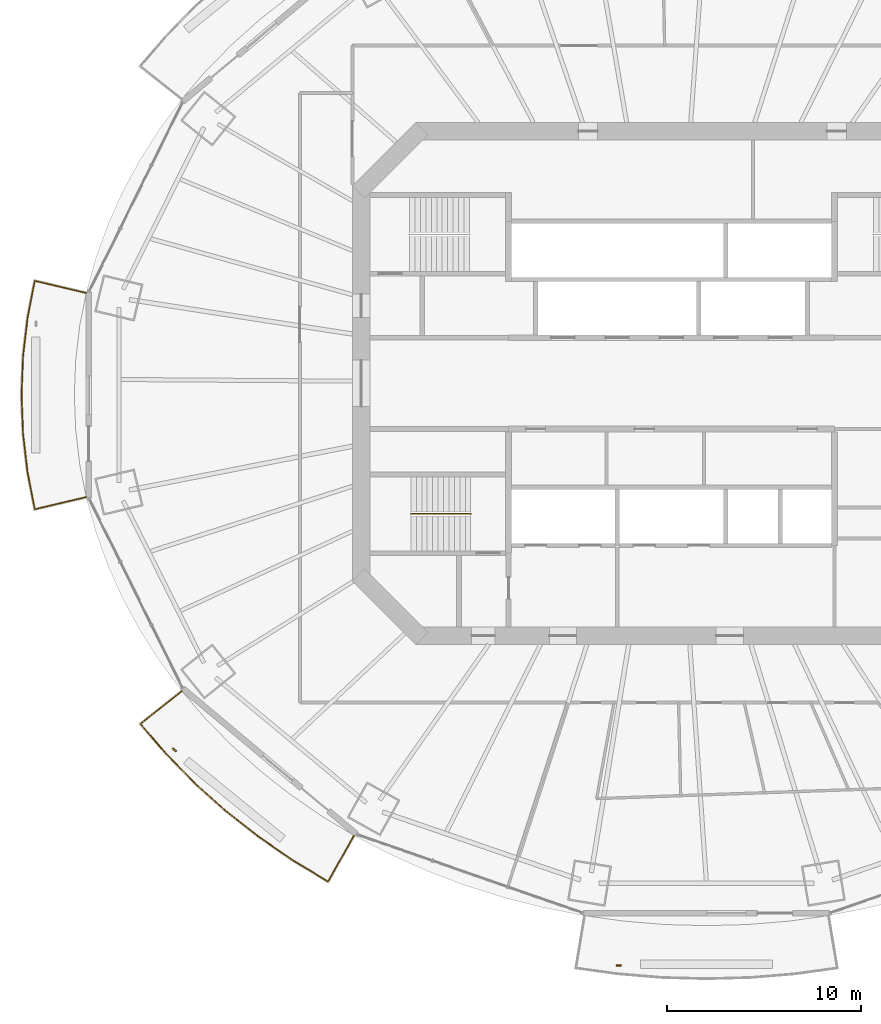
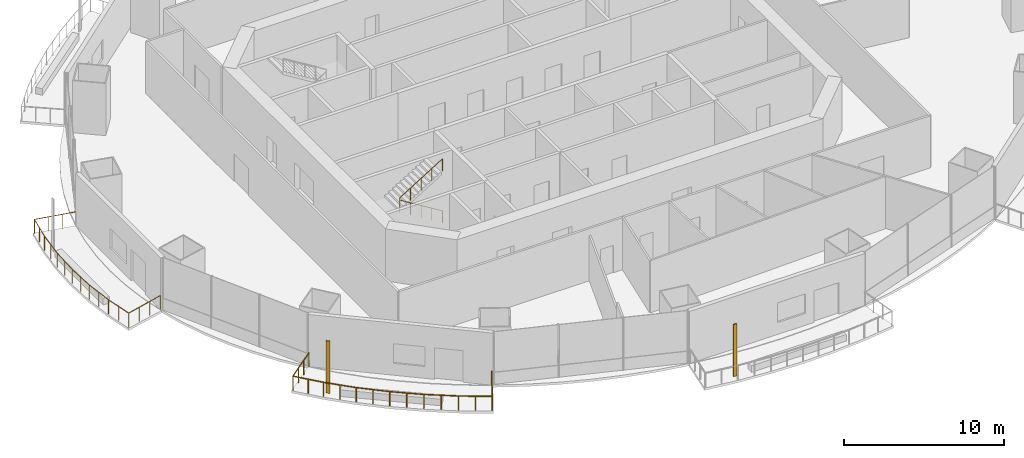
# One storey, part 15 of 20: 3 railings, 2 shading devices.
"""IFC4 building model written with IfcOpenShell, lengths in metres."""

from ifc_helpers import new_model, si_unit, direction, frame, origin, origin_2d, place, context, subcontext, project, spatial, rectangle, circle, extrude, material, material_profile, profile_set, type_object, element, save


model = new_model("IFC4")

# Units and contexts
model_context = context("Model", 3, precision=1e-05, world=origin(), true_north=direction((0.0, 1.0)))
body_context = subcontext(model_context, "Body", "Model", "MODEL_VIEW")
ifc_project = project(units=[si_unit("LENGTHUNIT", "METRE"), si_unit("AREAUNIT", "SQUARE_METRE"), si_unit("VOLUMEUNIT", "CUBIC_METRE"), si_unit("PLANEANGLEUNIT", "RADIAN"), si_unit("MASSUNIT", "GRAM", prefix="KILO")], contexts=[model_context])

# Site, building, storey
site_placement = place(None, origin())
site = spatial("IfcSite", under=ifc_project, at=site_placement, CompositionType="ELEMENT")
building_placement = place(site_placement, origin())
building = spatial("IfcBuilding", under=site, at=building_placement, Name="Marenthal Gate Tower", CompositionType="ELEMENT")
storey_placement = place(building_placement, frame((0.0, 0.0, 177.64990234375)))
storey = spatial("IfcBuildingStorey", under=building, at=storey_placement, Name="L38", CompositionType="ELEMENT", Elevation=177.64990234375)

# Railings
ifc_material_1 = material(Name="Stainless steel", Category="steel")
railing_type_1 = type_object("IfcRailingType", Name="Balcony guard 1100", PredefinedType="GUARDRAIL", material=ifc_material_1)
railing_1_placement = place(storey_placement, frame((-30.16943359375, -5.85693359375, 0.0)))
element("IfcRailing", 1, at=railing_1_placement, inside=storey, type_object=railing_type_1, Name="Balcony guard L38 bay 8", PredefinedType="GUARDRAIL", context=body_context, shape_type="SweptSolid", body=[
    extrude(circle(Radius=0.02392578125, at=origin_2d()), frame((0.0, 0.0, 1.076171875), z_axis=(-0.972993116946, -0.230370165209, -0.014628101647), x_axis=(0.230394816626, -0.97309723485, 0.0)), (0.0, 0.0, 1.0), 2.720458984375),
    extrude(circle(Radius=0.02392578125, at=origin_2d()), frame((-2.64697265625, -0.626708984375, 1.0361328125), z_axis=(-0.191367617188, 0.981518433394, 0.0), x_axis=(-0.981518433394, -0.191367617188, 0.0)), (0.0, 0.0, 1.0), 1.928955078125),
    extrude(circle(Radius=0.02392578125, at=origin_2d()), frame((-3.01611328125, 1.2666015625, 1.0361328125), z_axis=(-0.116473657371, 0.993193781263, 0.0), x_axis=(-0.993193781263, -0.116473657371, 0.0)), (0.0, 0.0, 1.0), 2.00390625),
    extrude(circle(Radius=0.02392578125, at=origin_2d()), frame((-3.24951171875, 3.2568359375, 1.0361328125), z_axis=(-0.03903273174, 0.999237932553, 0.0), x_axis=(-0.999237932553, -0.03903273174, 0.0)), (0.0, 0.0, 1.0), 2.00146484375),
    extrude(circle(Radius=0.02392578125, at=origin_2d()), frame((-3.32763671875, 5.2568359375, 1.0361328125), z_axis=(0.039027974841, 0.999238118358, 0.0), x_axis=(-0.999238118358, 0.039027974841, 0.0)), (0.0, 0.0, 1.0), 2.001708984375),
    extrude(circle(Radius=0.02392578125, at=origin_2d()), frame((-3.24951171875, 7.257080078125, 1.0361328125), z_axis=(0.116473657371, 0.993193781263, 0.0), x_axis=(-0.993193781263, 0.116473657371, 0.0)), (0.0, 0.0, 1.0), 2.00390625),
    extrude(circle(Radius=0.02392578125, at=origin_2d()), frame((-3.01611328125, 9.247314453125, 1.0361328125), z_axis=(0.191367617188, 0.981518433394, 0.0), x_axis=(-0.981518433394, 0.191367617188, 0.0)), (0.0, 0.0, 1.0), 1.928955078125),
    extrude(circle(Radius=0.02392578125, at=origin_2d()), frame((-2.64697265625, 11.140625, 1.0361328125), z_axis=(0.972993116946, -0.230370165209, 0.014628101647), x_axis=(0.230394816626, 0.97309723485, 0.0)), (0.0, 0.0, 1.0), 2.720458984375),
    extrude(circle(Radius=0.02099609375, at=origin_2d()), origin(), (0.0, 0.0, 1.0), 1.052001953125),
    extrude(circle(Radius=0.02099609375, at=origin_2d()), frame((-0.88232421875, -0.208984375, -0.01318359375)), (0.0, 0.0, 1.0), 1.052001953125),
    extrude(circle(Radius=0.02099609375, at=origin_2d()), frame((-1.7646484375, -0.417724609375, -0.026611328125)), (0.0, 0.0, 1.0), 1.052001953125),
    extrude(circle(Radius=0.02099609375, at=origin_2d()), frame((-2.64697265625, -0.626708984375, -0.039794921875)), (0.0, 0.0, 1.0), 1.052001953125),
    extrude(circle(Radius=0.02099609375, at=origin_2d()), frame((-2.83154296875, 0.31982421875, -0.039794921875)), (0.0, 0.0, 1.0), 1.052001953125),
    extrude(circle(Radius=0.02099609375, at=origin_2d()), frame((-3.01611328125, 1.2666015625, -0.039794921875)), (0.0, 0.0, 1.0), 1.052001953125),
    extrude(circle(Radius=0.02099609375, at=origin_2d()), frame((-3.1328125, 2.26171875, -0.039794921875)), (0.0, 0.0, 1.0), 1.052001953125),
    extrude(circle(Radius=0.02099609375, at=origin_2d()), frame((-3.24951171875, 3.2568359375, -0.039794921875)), (0.0, 0.0, 1.0), 1.052001953125),
    extrude(circle(Radius=0.02099609375, at=origin_2d()), frame((-3.28857421875, 4.2568359375, -0.039794921875)), (0.0, 0.0, 1.0), 1.052001953125),
    extrude(circle(Radius=0.02099609375, at=origin_2d()), frame((-3.32763671875, 5.2568359375, -0.039794921875)), (0.0, 0.0, 1.0), 1.052001953125),
    extrude(circle(Radius=0.02099609375, at=origin_2d()), frame((-3.28857421875, 6.2568359375, -0.039794921875)), (0.0, 0.0, 1.0), 1.052001953125),
    extrude(circle(Radius=0.02099609375, at=origin_2d()), frame((-3.24951171875, 7.257080078125, -0.039794921875)), (0.0, 0.0, 1.0), 1.052001953125),
    extrude(circle(Radius=0.02099609375, at=origin_2d()), frame((-3.1328125, 8.252197265625, -0.039794921875)), (0.0, 0.0, 1.0), 1.052001953125),
    extrude(circle(Radius=0.02099609375, at=origin_2d()), frame((-3.01611328125, 9.247314453125, -0.039794921875)), (0.0, 0.0, 1.0), 1.052001953125),
    extrude(circle(Radius=0.02099609375, at=origin_2d()), frame((-2.83154296875, 10.19384765625, -0.039794921875)), (0.0, 0.0, 1.0), 1.052001953125),
    extrude(circle(Radius=0.02099609375, at=origin_2d()), frame((-2.64697265625, 11.140625, -0.039794921875)), (0.0, 0.0, 1.0), 1.052001953125),
    extrude(circle(Radius=0.02099609375, at=origin_2d()), frame((-1.7646484375, 10.931640625, -0.026611328125)), (0.0, 0.0, 1.0), 1.052001953125),
    extrude(circle(Radius=0.02099609375, at=origin_2d()), frame((-0.88232421875, 10.722900390625, -0.01318359375)), (0.0, 0.0, 1.0), 1.052001953125),
    extrude(circle(Radius=0.02099609375, at=origin_2d()), frame((0.0, 10.513916015625, 0.0)), (0.0, 0.0, 1.0), 1.052001953125),
])
railing_2_placement = place(storey_placement, frame((-16.36865234375, -23.29833984375, 0.0)))
element("IfcRailing", 2, at=railing_2_placement, inside=storey, type_object=railing_type_1, Name="Balcony guard L38 bay 10", PredefinedType="GUARDRAIL", context=body_context, shape_type="SweptSolid", body=[
    extrude(circle(Radius=0.02392578125, at=origin_2d()), frame((0.0, 0.0, 1.076171875), z_axis=(-0.489411730254, -0.871930122761, -0.014629398869), x_axis=(0.872023442683, -0.489464110443, 0.0)), (0.0, 0.0, 1.0), 2.72021484375),
    extrude(circle(Radius=0.02392578125, at=origin_2d()), frame((-1.331298828125, -2.371826171875, 1.0361328125), z_axis=(-0.856264483042, 0.516537641494, 0.0), x_axis=(-0.516537641494, -0.856264483042, 0.0)), (0.0, 0.0, 1.0), 2.1083984375),
    extrude(circle(Radius=0.02392578125, at=origin_2d()), frame((-3.13671875, -1.28271484375, 1.0361328125), z_axis=(-0.823509936294, 0.567301846308, 0.0), x_axis=(-0.567301846308, -0.823509936294, 0.0)), (0.0, 0.0, 1.0), 2.170654296875),
    extrude(circle(Radius=0.02392578125, at=origin_2d()), frame((-4.92431640625, -0.05126953125, 1.0361328125), z_axis=(-0.786086084663, 0.618117033821, 0.0), x_axis=(-0.618117033821, -0.786086084663, 0.0)), (0.0, 0.0, 1.0), 2.152587890625),
    extrude(circle(Radius=0.02392578125, at=origin_2d()), frame((-6.616455078125, 1.279296875, 1.0361328125), z_axis=(-0.744714509998, 0.667383172247, 0.0), x_axis=(-0.667383172247, -0.744714509998, 0.0)), (0.0, 0.0, 1.0), 2.13427734375),
    extrude(circle(Radius=0.02392578125, at=origin_2d()), frame((-8.205810546875, 2.70361328125, 1.0361328125), z_axis=(-0.698983915283, 0.71513738972, 0.0), x_axis=(-0.71513738972, -0.698983915283, 0.0)), (0.0, 0.0, 1.0), 2.115966796875),
    extrude(circle(Radius=0.02392578125, at=origin_2d()), frame((-9.684814453125, 4.216796875, 1.0361328125), z_axis=(-0.650253316772, 0.75971746329, 0.0), x_axis=(-0.75971746329, -0.650253316772, 0.0)), (0.0, 0.0, 1.0), 2.0185546875),
    extrude(circle(Radius=0.02392578125, at=origin_2d()), frame((-10.997314453125, 5.750244140625, 1.0361328125), z_axis=(0.782620644896, 0.622327012811, 0.014629262055), x_axis=(-0.622393617256, 0.78270440474, 0.0)), (0.0, 0.0, 1.0), 2.72021484375),
    extrude(circle(Radius=0.02099609375, at=origin_2d()), origin(), (0.0, 0.0, 1.0), 1.052001953125),
    extrude(circle(Radius=0.02099609375, at=origin_2d()), frame((-0.44384765625, -0.79052734375, -0.01318359375)), (0.0, 0.0, 1.0), 1.052001953125),
    extrude(circle(Radius=0.02099609375, at=origin_2d()), frame((-0.887451171875, -1.581298828125, -0.026611328125)), (0.0, 0.0, 1.0), 1.052001953125),
    extrude(circle(Radius=0.02099609375, at=origin_2d()), frame((-1.331298828125, -2.371826171875, -0.039794921875)), (0.0, 0.0, 1.0), 1.052001953125),
    extrude(circle(Radius=0.02099609375, at=origin_2d()), frame((-2.23388671875, -1.8271484375, -0.039794921875)), (0.0, 0.0, 1.0), 1.052001953125),
    extrude(circle(Radius=0.02099609375, at=origin_2d()), frame((-3.13671875, -1.28271484375, -0.039794921875)), (0.0, 0.0, 1.0), 1.052001953125),
    extrude(circle(Radius=0.02099609375, at=origin_2d()), frame((-4.030517578125, -0.6669921875, -0.039794921875)), (0.0, 0.0, 1.0), 1.052001953125),
    extrude(circle(Radius=0.02099609375, at=origin_2d()), frame((-4.92431640625, -0.05126953125, -0.039794921875)), (0.0, 0.0, 1.0), 1.052001953125),
    extrude(circle(Radius=0.02099609375, at=origin_2d()), frame((-5.7705078125, 0.614013671875, -0.039794921875)), (0.0, 0.0, 1.0), 1.052001953125),
    extrude(circle(Radius=0.02099609375, at=origin_2d()), frame((-6.616455078125, 1.279296875, -0.039794921875)), (0.0, 0.0, 1.0), 1.052001953125),
    extrude(circle(Radius=0.02099609375, at=origin_2d()), frame((-7.4111328125, 1.991455078125, -0.039794921875)), (0.0, 0.0, 1.0), 1.052001953125),
    extrude(circle(Radius=0.02099609375, at=origin_2d()), frame((-8.205810546875, 2.70361328125, -0.039794921875)), (0.0, 0.0, 1.0), 1.052001953125),
    extrude(circle(Radius=0.02099609375, at=origin_2d()), frame((-8.9453125, 3.460205078125, -0.039794921875)), (0.0, 0.0, 1.0), 1.052001953125),
    extrude(circle(Radius=0.02099609375, at=origin_2d()), frame((-9.684814453125, 4.216796875, -0.039794921875)), (0.0, 0.0, 1.0), 1.052001953125),
    extrude(circle(Radius=0.02099609375, at=origin_2d()), frame((-10.341064453125, 4.9833984375, -0.039794921875)), (0.0, 0.0, 1.0), 1.052001953125),
    extrude(circle(Radius=0.02099609375, at=origin_2d()), frame((-10.997314453125, 5.750244140625, -0.039794921875)), (0.0, 0.0, 1.0), 1.052001953125),
    extrude(circle(Radius=0.02099609375, at=origin_2d()), frame((-10.28759765625, 6.314453125, -0.026611328125)), (0.0, 0.0, 1.0), 1.052001953125),
    extrude(circle(Radius=0.02099609375, at=origin_2d()), frame((-9.578125, 6.87890625, -0.01318359375)), (0.0, 0.0, 1.0), 1.052001953125),
    extrude(circle(Radius=0.02099609375, at=origin_2d()), frame((-8.868408203125, 7.443115234375, 0.0)), (0.0, 0.0, 1.0), 1.052001953125),
])
ifc_material_2 = material(Name="Stainless steel", Category="steel")
railing_type_2 = type_object("IfcRailingType", Name="Stair handrail", PredefinedType="HANDRAIL", material=ifc_material_2)
railing_3_placement = place(storey_placement, frame((-10.35009765625, -6.72509765625, 0.173095703125)))
element("IfcRailing", 3, at=railing_3_placement, inside=storey, type_object=railing_type_2, Name="Handrail ST2", PredefinedType="HANDRAIL", context=body_context, shape_type="SweptSolid", body=[
    extrude(circle(Radius=0.0224609375, at=origin_2d()), frame((0.0, 0.0, 0.927490234375), z_axis=(-0.850816621229, 0.0, 0.525462726595), x_axis=(0.0, -1.0, 0.0)), (0.0, 0.0, 1.0), 3.619873046875),
    extrude(circle(Radius=0.0224609375, at=origin_2d()), frame((-3.079833984375, 0.0, 2.82958984375), z_axis=(0.0, 0.0, 1.0), x_axis=(1.0, 0.0, 0.0)), (0.0, 0.0, 1.0), 0.1728515625),
    extrude(circle(Radius=0.0224609375, at=origin_2d()), frame((-3.079833984375, 0.0, 3.00244140625), z_axis=(0.850816621229, 0.0, 0.525462726595), x_axis=(0.0, 1.0, 0.0)), (0.0, 0.0, 1.0), 3.619873046875),
    extrude(circle(Radius=0.02001953125, at=origin_2d()), origin(), (0.0, 0.0, 1.0), 0.905029296875),
    extrude(circle(Radius=0.02001953125, at=origin_2d()), frame((-0.77001953125, 0.0, 0.4755859375)), (0.0, 0.0, 1.0), 0.905029296875),
    extrude(circle(Radius=0.02001953125, at=origin_2d()), frame((-1.5400390625, 0.0, 0.951171875)), (0.0, 0.0, 1.0), 0.905029296875),
    extrude(circle(Radius=0.02001953125, at=origin_2d()), frame((-2.309814453125, 0.0, 1.426513671875)), (0.0, 0.0, 1.0), 0.905029296875),
    extrude(circle(Radius=0.02001953125, at=origin_2d()), frame((-3.079833984375, 0.0, 1.902099609375)), (0.0, 0.0, 1.0), 0.905029296875),
    extrude(circle(Radius=0.02001953125, at=origin_2d()), frame((-3.079833984375, 0.0, 2.074951171875)), (0.0, 0.0, 1.0), 0.905029296875),
    extrude(circle(Radius=0.02001953125, at=origin_2d()), frame((-2.309814453125, 0.0, 2.550537109375)), (0.0, 0.0, 1.0), 0.905029296875),
    extrude(circle(Radius=0.02001953125, at=origin_2d()), frame((-1.5400390625, 0.0, 3.02587890625)), (0.0, 0.0, 1.0), 0.905029296875),
    extrude(circle(Radius=0.02001953125, at=origin_2d()), frame((-0.77001953125, 0.0, 3.50146484375)), (0.0, 0.0, 1.0), 0.905029296875),
    extrude(circle(Radius=0.02001953125, at=origin_2d()), frame((0.0, 0.0, 3.97705078125)), (0.0, 0.0, 1.0), 0.905029296875),
])

# Shading devices
ifc_material_3 = material(Name="Terracotta", Category="masonry")
ifc_material_profile = material_profile(ifc_material_3, rectangle(XDim=0.25, YDim=0.080078125, at=origin_2d()), Name="Terracotta baguette 250x80")
ifc_profile_set = profile_set([ifc_material_profile], Name="Terracotta")
shading_device_type = type_object("IfcShadingDeviceType", Name="Terracotta BAGUETTE SCREEN 250x80", PredefinedType="USERDEFINED", material=ifc_profile_set)
for number, where, z_axis, x_axis, name in (
    (4, (-25.617431640625, -18.883544921875, -0.039794921875), (0.0, 0.0, 1.0), (0.765850387542, -0.643018805247, 0.0), "Terracotta BAGUETTE L38 bay 10L"),
    (5, (-2.716552734375, -29.990966796875, -0.039794921875), (0.0, 0.0, 1.0), (1.0, 0.0, 0.0), "Terracotta BAGUETTE L38 bay 12L"),
):
    element("IfcShadingDevice", number, at=place(storey_placement, frame(where, z_axis=z_axis, x_axis=x_axis)), inside=storey, type_object=shading_device_type, Name=name, ObjectType="BAGUETTE SCREEN", PredefinedType="USERDEFINED", context=body_context, shape_type="SweptSolid", body=[
        extrude(rectangle(XDim=0.25, YDim=0.080078125, at=origin_2d()), origin(), (0.0, 0.0, 1.0), 3.969970703125),
    ])

save(model, "model.ifc")
